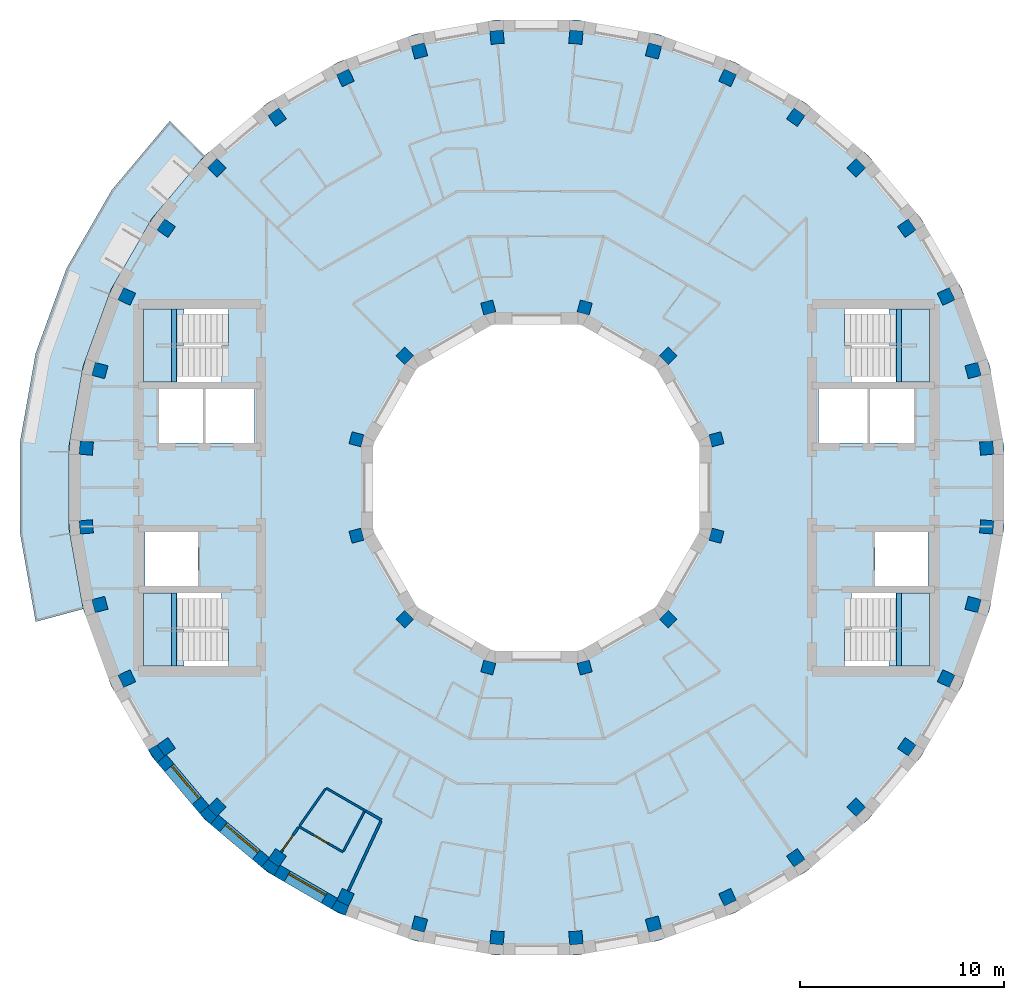
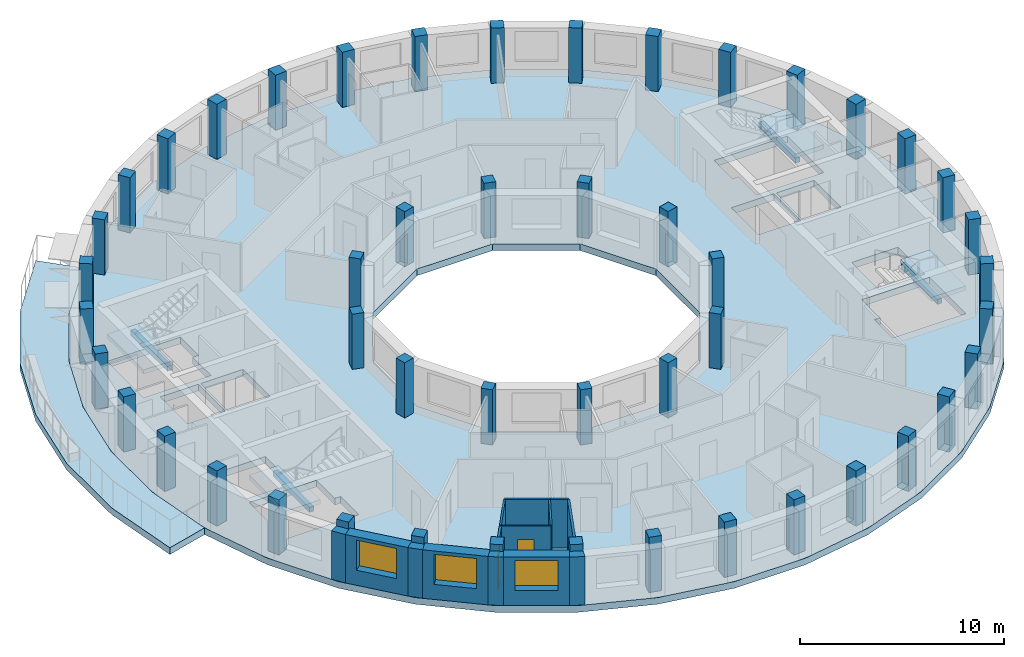
# One storey, part 1 of 10: 48 columns, 14 walls, 6 slabs, 4 beams, 3 windows, 2 doors, 5 openings, 4 elements without a shape of their own.
"""IFC4 building model written with IfcOpenShell, lengths in metres."""

import ifcopenshell
import ifcopenshell.guid

model = None  # the IFC model being written
_history = None  # IfcOwnerHistory: only IFC2X3 demands one
_inside = {}  # id of a spatial element -> (the spatial element, [elements in it])
_under = {}  # id of a project, library or spatial element -> (it, [spatial elements below it])
_declared = {}  # id of a project -> (the project, [libraries it declares])
_typed = {}  # id of a type object -> (the type object, [elements of that type])
_made_of = {}  # id of a material, layer set ... -> (it, [elements and type objects made of it])


def new_model(schema):
    """Start an empty IFC model of exactly this schema.

    Asked for "IFC4X3", IfcOpenShell would pick the latest addendum, in which some entities
    have other attributes; the version numbers below select the first issue.
    IFC2X3 requires an IfcOwnerHistory on every rooted entity: one is made here for all.
    """
    global model, _history
    if schema == "IFC4X3":
        model = ifcopenshell.file(schema_version=(4, 3, 0, 0))
    else:
        model = ifcopenshell.file(schema=schema)
    _inside.clear()
    _under.clear()
    _declared.clear()
    _typed.clear()
    _made_of.clear()
    _history = None
    if model.schema == "IFC2X3":
        org = make("IfcOrganization", Name="unknown")
        user = make(
            "IfcPersonAndOrganization",
            ThePerson=make("IfcPerson", FamilyName="unknown"),
            TheOrganization=org,
        )
        app = make(
            "IfcApplication",
            ApplicationDeveloper=org,
            Version="unknown",
            ApplicationFullName="unknown",
            ApplicationIdentifier="unknown",
        )
        _history = make(
            "IfcOwnerHistory",
            OwningUser=user,
            OwningApplication=app,
            ChangeAction="ADDED",
            CreationDate=0,
        )
    return model


def make(cls, **values):
    """One entity of the class cls with the attributes given. An attribute that is None is left unset."""
    return model.create_entity(
        cls, **{name: value for name, value in values.items() if value is not None}
    )


def rooted(cls, **values):
    """An entity with a GlobalId (a new one), such as an element, a storey or a relation."""
    return make(cls, GlobalId=ifcopenshell.guid.new(), OwnerHistory=_history, **values)


def si_unit(unit_type, name, prefix=None):
    """IfcSIUnit, for example si_unit("LENGTHUNIT", "METRE", prefix="MILLI")."""
    return make("IfcSIUnit", UnitType=unit_type, Prefix=prefix, Name=name)


def assignment(units):
    """IfcUnitAssignment: the units of a project."""
    return None if units is None else make("IfcUnitAssignment", Units=units)


def point(xyz):
    """IfcCartesianPoint."""
    return None if xyz is None else make("IfcCartesianPoint", Coordinates=xyz)


def direction(xyz):
    """IfcDirection."""
    return None if xyz is None else make("IfcDirection", DirectionRatios=xyz)


def frame(location, z_axis=None, x_axis=None):
    """IfcAxis2Placement3D, a coordinate frame: its origin and axes. An axis left out is left unset."""
    return make(
        "IfcAxis2Placement3D",
        Location=point(location),
        Axis=direction(z_axis),
        RefDirection=direction(x_axis),
    )


def frame_2d(location, x_axis=None):
    """IfcAxis2Placement2D, a coordinate frame in the plane: its origin and x axis."""
    return make(
        "IfcAxis2Placement2D", Location=point(location), RefDirection=direction(x_axis)
    )


def origin():
    """The frame at (0, 0, 0) with its axes left unset."""
    return frame((0.0, 0.0, 0.0))


def origin_2d():
    """The frame at (0, 0) in the plane with its x axis left unset."""
    return frame_2d((0.0, 0.0))


def place(relative_to, where):
    """IfcLocalPlacement: puts the frame where relative to a parent placement (None: the world)."""
    return make(
        "IfcLocalPlacement", PlacementRelTo=relative_to, RelativePlacement=where
    )


def context(
    kind, dimensions, precision=None, world=None, true_north=None, identifier=None
):
    """IfcGeometricRepresentationContext, for example the 3D "Model" context."""
    return make(
        "IfcGeometricRepresentationContext",
        ContextIdentifier=identifier,
        ContextType=kind,
        CoordinateSpaceDimension=dimensions,
        Precision=precision,
        WorldCoordinateSystem=world,
        TrueNorth=true_north,
    )


def subcontext(parent, identifier, kind, view, scale=None):
    """IfcGeometricRepresentationSubContext, for example "Body" below "Model"."""
    return make(
        "IfcGeometricRepresentationSubContext",
        ContextIdentifier=identifier,
        ContextType=kind,
        ParentContext=parent,
        TargetScale=scale,
        TargetView=view,
    )


def project(units=None, contexts=None):
    """IfcProject with its units and contexts."""
    return rooted(
        "IfcProject",
        Name="project",
        RepresentationContexts=contexts,
        UnitsInContext=assignment(units),
    )


def spatial(cls, under=None, at=None, **own):
    """A site, building, storey or space (cls), placed at a placement, below another one or the project."""
    s = rooted(cls, ObjectPlacement=at, **own)
    if under is not None:
        _under.setdefault(under.id(), (under, []))[1].append(s)
    return s


def polyline(points):
    """IfcPolyline through the points."""
    return make("IfcPolyline", Points=[point(p) for p in points])


def profile(cls, at=None, kind="AREA", **sizes):
    """A parametric profile (cls). Its sizes go by their IFC names, for example OverallWidth=200.0."""
    return make(cls, ProfileType=kind, Position=at, **sizes)


def rectangle(**sizes):
    """IfcRectangleProfileDef."""
    return profile("IfcRectangleProfileDef", **sizes)


def outline(outer, holes=None, kind="AREA"):
    """IfcArbitraryClosedProfileDef: a profile drawn as a closed curve; with holes, ...WithVoids."""
    if holes is None:
        return make("IfcArbitraryClosedProfileDef", ProfileType=kind, OuterCurve=outer)
    return make(
        "IfcArbitraryProfileDefWithVoids",
        ProfileType=kind,
        OuterCurve=outer,
        InnerCurves=holes,
    )


def extrude(swept, where, along, depth):
    """IfcExtrudedAreaSolid: the profile swept, set in the frame where, extruded along a direction by depth."""
    return make(
        "IfcExtrudedAreaSolid",
        SweptArea=swept,
        Position=where,
        ExtrudedDirection=direction(along),
        Depth=depth,
    )


def shape(context_of_items, identifier, shape_type, items):
    """IfcShapeRepresentation: the items that make up one representation, for example the "Body"."""
    return make(
        "IfcShapeRepresentation",
        ContextOfItems=context_of_items,
        RepresentationIdentifier=identifier,
        RepresentationType=shape_type,
        Items=items,
    )


def material(Name=None, Category=None):
    """IfcMaterial."""
    return make("IfcMaterial", Name=Name, Category=Category)


def layer(
    of_material, thickness, ventilated=None, Name=None, Category=None, Priority=None
):
    """IfcMaterialLayer: one layer of a wall or slab, of a material (None: an air gap)."""
    return make(
        "IfcMaterialLayer",
        Material=of_material,
        LayerThickness=thickness,
        IsVentilated=ventilated,
        Name=Name,
        Category=Category,
        Priority=Priority,
    )


def layer_set(layers, Name=None):
    """IfcMaterialLayerSet."""
    return make("IfcMaterialLayerSet", MaterialLayers=layers, LayerSetName=Name)


def material_profile(
    of_material, cross_section, Name=None, Category=None, Priority=None
):
    """IfcMaterialProfile: a cross section and its material."""
    return make(
        "IfcMaterialProfile",
        Name=Name,
        Material=of_material,
        Profile=cross_section,
        Priority=Priority,
        Category=Category,
    )


def profile_set(profiles, Name=None, composite=None):
    """IfcMaterialProfileSet."""
    return make(
        "IfcMaterialProfileSet",
        Name=Name,
        MaterialProfiles=profiles,
        CompositeProfile=composite,
    )


def made_of(thing, what):
    """Note that an element or type object is made of a material, layer set ...; save() writes the relation."""
    if what is not None:
        _made_of.setdefault(what.id(), (what, []))[1].append(thing)
    return thing


def type_object(cls, material=None, **own):
    """A type object (cls), such as IfcWallType, which elements share."""
    return made_of(rooted(cls, **own), material)


def element(
    cls,
    number,
    at=None,
    inside=None,
    cuts=None,
    type_object=None,
    material=None,
    context=None,
    identifier="Body",
    shape_type=None,
    held_by="IfcProductDefinitionShape",
    body=None,
    shapes=None,
    **own,
):
    """One element of the class cls, such as IfcWall. Its Tag is "e" and its number.

    at: its placement. inside: the storey or other place that contains it. cuts: it is an
    opening in that element (IfcRelVoidsElement). A single representation is given by context,
    identifier, shape_type and body (its items); several are given by shapes. held_by: the class
    of the entity that holds the representations. save() writes the other relations.
    """
    e = rooted(cls, Tag="e%d" % number, ObjectPlacement=at, **own)
    if body is not None:
        shapes = [shape(context, identifier, shape_type, body)]
    if shapes is not None:
        e.Representation = make(held_by, Representations=shapes)
    if inside is not None:
        _inside.setdefault(inside.id(), (inside, []))[1].append(e)
    if cuts is not None:
        rooted(
            "IfcRelVoidsElement", RelatingBuildingElement=cuts, RelatedOpeningElement=e
        )
    if type_object is not None:
        _typed.setdefault(type_object.id(), (type_object, []))[1].append(e)
    return made_of(e, material)


def fill(opening, filler):
    """IfcRelFillsElement: the door or window that sits in an opening."""
    return rooted(
        "IfcRelFillsElement",
        RelatingOpeningElement=opening,
        RelatedBuildingElement=filler,
    )


def aggregate(whole, parts):
    """IfcRelAggregates: a whole, such as a stair, and the parts it consists of."""
    return rooted("IfcRelAggregates", RelatingObject=whole, RelatedObjects=parts)


def save(model, path):
    """Write the relations noted so far, then the file.

    IfcRelAggregates (storeys below a building ...), IfcRelContainedInSpatialStructure (elements
    in a storey), IfcRelDefinesByType, IfcRelAssociatesMaterial and IfcRelDeclares: one each for
    every whole, place, type object, material and project.
    """
    for whole, parts in _under.values():
        aggregate(whole, parts)
    for where, things in _inside.values():
        rooted(
            "IfcRelContainedInSpatialStructure",
            RelatedElements=things,
            RelatingStructure=where,
        )
    for kind, things in _typed.values():
        rooted("IfcRelDefinesByType", RelatedObjects=things, RelatingType=kind)
    for what, things in _made_of.values():
        rooted("IfcRelAssociatesMaterial", RelatedObjects=things, RelatingMaterial=what)
    for by, libraries in _declared.values():
        rooted("IfcRelDeclares", RelatingContext=by, RelatedDefinitions=libraries)
    model.write(path)


model = new_model("IFC4")

# Units and contexts
model_context = context("Model", 3, precision=1e-05, world=origin(), true_north=direction((0.0, 1.0)))
body_context = subcontext(model_context, "Body", "Model", "MODEL_VIEW")
ifc_project = project(units=[si_unit("LENGTHUNIT", "METRE"), si_unit("AREAUNIT", "SQUARE_METRE"), si_unit("VOLUMEUNIT", "CUBIC_METRE"), si_unit("PLANEANGLEUNIT", "RADIAN"), si_unit("MASSUNIT", "GRAM", prefix="KILO")], contexts=[model_context])

# Site, building, storey
site_placement = place(None, origin())
site = spatial("IfcSite", under=ifc_project, at=site_placement, CompositionType="ELEMENT")
building_placement = place(site_placement, origin())
building = spatial("IfcBuilding", under=site, at=building_placement, Name="Saqina Gate Tower", CompositionType="ELEMENT")
storey_placement = place(building_placement, frame((0.0, 0.0, 239.60009765625)))
storey = spatial("IfcBuildingStorey", under=building, at=storey_placement, Name="L68", CompositionType="ELEMENT", Elevation=239.60009765625)

# Columns
ifc_material_1 = material(Name="Concrete C60/75", Category="concrete")
ifc_material_profile_1 = material_profile(ifc_material_1, rectangle(XDim=0.60009765625, YDim=0.60009765625, at=origin_2d()), Name="RC 600x600")
ifc_profile_set_1 = profile_set([ifc_material_profile_1], Name="Concrete C60/75")
column_type_1 = type_object("IfcColumnType", Name="STR-COL-IN-D", PredefinedType="COLUMN", material=ifc_profile_set_1)
for number, where, z_axis, x_axis, name in (
    (1, (8.821044921875, 2.363525390625, 0.0), (0.0, 0.0, 1.0), (0.965925826289, 0.258819045103, 0.0), "L68-ICL01"),
    (2, (6.45751953125, 6.45751953125, 0.0), (0.0, 0.0, 1.0), (0.707106781187, 0.707106781187, 0.0), "L68-ICL02"),
    (3, (2.363525390625, 8.821044921875, 0.0), (0.0, 0.0, 1.0), (0.258819045103, 0.965925826289, 0.0), "L68-ICL03"),
    (4, (-2.363525390625, 8.821044921875, 0.0), (0.0, 0.0, 1.0), (-0.258819045103, 0.965925826289, 0.0), "L68-ICL04"),
    (5, (-6.45751953125, 6.45751953125, 0.0), (0.0, 0.0, 1.0), (-0.707106781187, 0.707106781187, 0.0), "L68-ICL05"),
    (6, (-8.821044921875, 2.363525390625, 0.0), (0.0, 0.0, 1.0), (-0.965925826289, 0.258819045103, 0.0), "L68-ICL06"),
    (7, (-8.821044921875, -2.363525390625, 0.0), (0.0, 0.0, 1.0), (-0.965925826289, -0.258819045103, 0.0), "L68-ICL07"),
    (8, (-6.45751953125, -6.45751953125, 0.0), (0.0, 0.0, 1.0), (-0.707106781187, -0.707106781187, 0.0), "L68-ICL08"),
    (9, (-2.363525390625, -8.821044921875, 0.0), (0.0, 0.0, 1.0), (-0.258819045103, -0.965925826289, 0.0), "L68-ICL09"),
    (10, (2.363525390625, -8.821044921875, 0.0), (0.0, 0.0, 1.0), (0.258819045103, -0.965925826289, 0.0), "L68-ICL10"),
    (11, (6.45751953125, -6.45751953125, 0.0), (0.0, 0.0, 1.0), (0.707106781187, -0.707106781187, 0.0), "L68-ICL11"),
    (12, (8.821044921875, -2.363525390625, 0.0), (0.0, 0.0, 1.0), (0.965925826289, -0.258819045103, 0.0), "L68-ICL12"),
):
    element("IfcColumn", number, at=place(storey_placement, frame(where, z_axis=z_axis, x_axis=x_axis)), inside=storey, type_object=column_type_1, Name=name, PredefinedType="COLUMN", context=body_context, shape_type="SweptSolid", body=[
        extrude(rectangle(XDim=0.60009765625, YDim=0.60009765625, at=origin_2d()), origin(), (0.0, 0.0, 1.0), 3.2998046875),
    ])
ifc_material_2 = material(Name="Concrete C60/75", Category="concrete")
ifc_material_profile_2 = material_profile(ifc_material_2, rectangle(XDim=0.64990234375, YDim=0.64990234375, at=origin_2d()), Name="RC 650x650")
ifc_profile_set_2 = profile_set([ifc_material_profile_2], Name="Concrete C60/75")
column_type_2 = type_object("IfcColumnType", Name="STR-COL-OUT-D", PredefinedType="COLUMN", material=ifc_profile_set_2)
for number, where, z_axis, x_axis, name in (
    (13, (22.065673828125, 1.930419921875, 0.0), (0.0, 0.0, 1.0), (0.996194698092, 0.087155742748, 0.0), "L68-COL01"),
    (14, (21.395263671875, 5.73291015625, 0.0), (0.0, 0.0, 1.0), (0.965925826289, 0.258819045103, 0.0), "L68-COL02"),
    (15, (20.07470703125, 9.361083984375, 0.0), (0.0, 0.0, 1.0), (0.906307787037, 0.422618261741, 0.0), "L68-COL03"),
    (16, (18.144287109375, 12.704833984375, 0.0), (0.0, 0.0, 1.0), (0.819152044289, 0.573576436351, 0.0), "L68-COL04"),
    (17, (15.662353515625, 15.662353515625, 0.0), (0.0, 0.0, 1.0), (0.707106781187, 0.707106781187, 0.0), "L68-COL05"),
    (18, (12.704833984375, 18.144287109375, 0.0), (0.0, 0.0, 1.0), (0.573576436351, 0.819152044289, 0.0), "L68-COL06"),
    (19, (9.361083984375, 20.07470703125, 0.0), (0.0, 0.0, 1.0), (0.422618261741, 0.906307787037, 0.0), "L68-COL07"),
    (20, (5.73291015625, 21.395263671875, 0.0), (0.0, 0.0, 1.0), (0.258819045103, 0.965925826289, 0.0), "L68-COL08"),
    (21, (1.930419921875, 22.065673828125, 0.0), (0.0, 0.0, 1.0), (0.087155742748, 0.996194698092, 0.0), "L68-COL09"),
    (22, (-1.930419921875, 22.065673828125, 0.0), (0.0, 0.0, 1.0), (-0.087155742748, 0.996194698092, 0.0), "L68-COL10"),
    (23, (-5.73291015625, 21.395263671875, 0.0), (0.0, 0.0, 1.0), (-0.258819045103, 0.965925826289, 0.0), "L68-COL11"),
    (24, (-9.361083984375, 20.07470703125, 0.0), (0.0, 0.0, 1.0), (-0.422618261741, 0.906307787037, 0.0), "L68-COL12"),
    (25, (-12.704833984375, 18.144287109375, 0.0), (0.0, 0.0, 1.0), (-0.573576436351, 0.819152044289, 0.0), "L68-COL13"),
    (26, (-15.662353515625, 15.662353515625, 0.0), (0.0, 0.0, 1.0), (-0.707106781187, 0.707106781187, 0.0), "L68-COL14"),
    (27, (-18.144287109375, 12.704833984375, 0.0), (0.0, 0.0, 1.0), (-0.819152044289, 0.573576436351, 0.0), "L68-COL15"),
    (28, (-20.07470703125, 9.361083984375, 0.0), (0.0, 0.0, 1.0), (-0.906307787037, 0.422618261741, 0.0), "L68-COL16"),
    (29, (-21.395263671875, 5.73291015625, 0.0), (0.0, 0.0, 1.0), (-0.965925826289, 0.258819045103, 0.0), "L68-COL17"),
    (30, (-22.065673828125, 1.930419921875, 0.0), (0.0, 0.0, 1.0), (-0.996194698092, 0.087155742748, 0.0), "L68-COL18"),
    (31, (-22.065673828125, -1.930419921875, 0.0), (0.0, 0.0, 1.0), (-0.996194698092, -0.087155742748, 0.0), "L68-COL19"),
    (32, (-21.395263671875, -5.73291015625, 0.0), (0.0, 0.0, 1.0), (-0.965925826289, -0.258819045103, 0.0), "L68-COL20"),
    (33, (-20.07470703125, -9.361083984375, 0.0), (0.0, 0.0, 1.0), (-0.906307787037, -0.422618261741, 0.0), "L68-COL21"),
    (34, (-18.144287109375, -12.704833984375, 0.0), (0.0, 0.0, 1.0), (-0.819152044289, -0.573576436351, 0.0), "L68-COL22"),
    (35, (-15.662353515625, -15.662353515625, 0.0), (0.0, 0.0, 1.0), (-0.707106781187, -0.707106781187, 0.0), "L68-COL23"),
    (36, (-12.704833984375, -18.144287109375, 0.0), (0.0, 0.0, 1.0), (-0.573576436351, -0.819152044289, 0.0), "L68-COL24"),
    (37, (-9.361083984375, -20.07470703125, 0.0), (0.0, 0.0, 1.0), (-0.422618261741, -0.906307787037, 0.0), "L68-COL25"),
    (38, (-5.73291015625, -21.395263671875, 0.0), (0.0, 0.0, 1.0), (-0.258819045103, -0.965925826289, 0.0), "L68-COL26"),
    (39, (-1.930419921875, -22.065673828125, 0.0), (0.0, 0.0, 1.0), (-0.087155742748, -0.996194698092, 0.0), "L68-COL27"),
    (40, (1.930419921875, -22.065673828125, 0.0), (0.0, 0.0, 1.0), (0.087155742748, -0.996194698092, 0.0), "L68-COL28"),
    (41, (5.73291015625, -21.395263671875, 0.0), (0.0, 0.0, 1.0), (0.258819045103, -0.965925826289, 0.0), "L68-COL29"),
    (42, (9.361083984375, -20.07470703125, 0.0), (0.0, 0.0, 1.0), (0.422618261741, -0.906307787037, 0.0), "L68-COL30"),
    (43, (12.704833984375, -18.144287109375, 0.0), (0.0, 0.0, 1.0), (0.573576436351, -0.819152044289, 0.0), "L68-COL31"),
    (44, (15.662353515625, -15.662353515625, 0.0), (0.0, 0.0, 1.0), (0.707106781187, -0.707106781187, 0.0), "L68-COL32"),
    (45, (18.144287109375, -12.704833984375, 0.0), (0.0, 0.0, 1.0), (0.819152044289, -0.573576436351, 0.0), "L68-COL33"),
    (46, (20.07470703125, -9.361083984375, 0.0), (0.0, 0.0, 1.0), (0.906307787037, -0.422618261741, 0.0), "L68-COL34"),
    (47, (21.395263671875, -5.73291015625, 0.0), (0.0, 0.0, 1.0), (0.965925826289, -0.258819045103, 0.0), "L68-COL35"),
    (48, (22.065673828125, -1.930419921875, 0.0), (0.0, 0.0, 1.0), (0.996194698092, -0.087155742748, 0.0), "L68-COL36"),
):
    element("IfcColumn", number, at=place(storey_placement, frame(where, z_axis=z_axis, x_axis=x_axis)), inside=storey, type_object=column_type_2, Name=name, PredefinedType="COLUMN", context=body_context, shape_type="SweptSolid", body=[
        extrude(rectangle(XDim=0.64990234375, YDim=0.64990234375, at=origin_2d()), origin(), (0.0, 0.0, 1.0), 3.2998046875),
    ])

# Beams
ifc_material_3 = material(Name="Concrete C40/50", Category="concrete")
ifc_material_profile_3 = material_profile(ifc_material_3, rectangle(XDim=0.25, YDim=0.300048828125, at=origin_2d()), Name="STAIR LANDING BEAM")
ifc_profile_set_3 = profile_set([ifc_material_profile_3], Name="Concrete C40/50")
beam_type = type_object("IfcBeamType", Name="STAIR LANDING BEAM", PredefinedType="BEAM", material=ifc_profile_set_3)
for number, where, z_axis, x_axis, name in (
    (49, (17.77001953125, 5.175048828125, 1.25), (0.0, 1.0, 0.0), (-1.0, 0.0, 0.0), "EXIT STAIR 1 LANDING BEAM"),
    (50, (17.77001953125, -8.75, 1.25), (0.0, 1.0, 0.0), (-1.0, 0.0, 0.0), "EXIT STAIR 2 LANDING BEAM"),
    (51, (-17.77001953125, 5.175048828125, 1.25), (0.0, 1.0, 0.0), (-1.0, 0.0, 0.0), "EXIT STAIR 3 LANDING BEAM"),
    (52, (-17.77001953125, -8.75, 1.25), (0.0, 1.0, 0.0), (-1.0, 0.0, 0.0), "EXIT STAIR 4 LANDING BEAM"),
):
    element("IfcBeam", number, at=place(storey_placement, frame(where, z_axis=z_axis, x_axis=x_axis)), inside=storey, type_object=beam_type, Name=name, PredefinedType="BEAM", context=body_context, shape_type="SweptSolid", body=[
        extrude(rectangle(XDim=0.25, YDim=0.300048828125, at=origin_2d()), origin(), (0.0, 0.0, 1.0), 3.574951171875),
    ])

# Stair, slab
ifc_material_4 = material(Name="Concrete C40/50", Category="concrete")
stair_type = type_object("IfcStairType", Name="EXIT STAIR", PredefinedType="HALF_TURN_STAIR", material=ifc_material_4)
stair_1_placement = place(storey_placement, origin())
stair_1 = element("IfcStair", 53, at=stair_1_placement, inside=storey, type_object=stair_type, Name="EXIT STAIR 1", PredefinedType="HALF_TURN_STAIR")
ifc_material_5 = material(Name="Concrete C40/50", Category="concrete")
ifc_layer_1 = layer(ifc_material_5, 0.25)
ifc_layer_set_1 = layer_set([ifc_layer_1], Name="Concrete C40/50")
slab_type_1 = type_object("IfcSlabType", Name="EXIT STAIR LANDING", PredefinedType="LANDING", material=ifc_layer_set_1)
slab_1_placement = place(storey_placement, frame((0.0, 0.0, 1.39990234375)))
slab_1 = element("IfcSlab", 54, at=slab_1_placement, type_object=slab_type_1, Name="EXIT STAIR 1 LANDING 1", PredefinedType="LANDING", context=body_context, shape_type="SweptSolid", body=[
    extrude(outline(polyline([(19.25, 8.75), (19.25, 5.175048828125), (17.614990234375, 5.175048828125), (17.614990234375, 6.96240234375), (17.284423828125, 6.96240234375), (17.284423828125, 8.75), (17.614990234375, 8.75), (17.6201171875, 8.75), (19.25, 8.75)])), origin(), (0.0, 0.0, 1.0), 0.25),
])
aggregate(stair_1, [slab_1])

stair_2_placement = place(storey_placement, origin())
stair_2 = element("IfcStair", 55, at=stair_2_placement, inside=storey, type_object=stair_type, Name="EXIT STAIR 2", PredefinedType="HALF_TURN_STAIR")
slab_2_placement = place(storey_placement, frame((0.0, 0.0, 1.39990234375)))
slab_2 = element("IfcSlab", 56, at=slab_2_placement, type_object=slab_type_1, Name="EXIT STAIR 2 LANDING 1", PredefinedType="LANDING", context=body_context, shape_type="SweptSolid", body=[
    extrude(outline(polyline([(17.284423828125, -8.75), (17.284423828125, -6.96240234375), (17.614990234375, -6.96240234375), (17.614990234375, -5.175048828125), (19.25, -5.175048828125), (19.25, -8.75), (17.6201171875, -8.75), (17.614990234375, -8.75), (17.284423828125, -8.75)])), origin(), (0.0, 0.0, 1.0), 0.25),
])
aggregate(stair_2, [slab_2])

stair_3_placement = place(storey_placement, origin())
stair_3 = element("IfcStair", 57, at=stair_3_placement, inside=storey, type_object=stair_type, Name="EXIT STAIR 3", PredefinedType="HALF_TURN_STAIR")
slab_3_placement = place(storey_placement, frame((0.0, 0.0, 1.39990234375)))
slab_3 = element("IfcSlab", 58, at=slab_3_placement, type_object=slab_type_1, Name="EXIT STAIR 3 LANDING 1", PredefinedType="LANDING", context=body_context, shape_type="SweptSolid", body=[
    extrude(outline(polyline([(-17.614990234375, 5.175048828125), (-19.25, 5.175048828125), (-19.25, 8.75), (-17.6201171875, 8.75), (-17.614990234375, 8.75), (-17.284423828125, 8.75), (-17.284423828125, 6.96240234375), (-17.614990234375, 6.96240234375), (-17.614990234375, 5.175048828125)])), origin(), (0.0, 0.0, 1.0), 0.25),
])
aggregate(stair_3, [slab_3])

stair_4_placement = place(storey_placement, origin())
stair_4 = element("IfcStair", 59, at=stair_4_placement, inside=storey, type_object=stair_type, Name="EXIT STAIR 4", PredefinedType="HALF_TURN_STAIR")
slab_4_placement = place(storey_placement, frame((0.0, 0.0, 1.39990234375)))
slab_4 = element("IfcSlab", 60, at=slab_4_placement, type_object=slab_type_1, Name="EXIT STAIR 4 LANDING 1", PredefinedType="LANDING", context=body_context, shape_type="SweptSolid", body=[
    extrude(outline(polyline([(-17.284423828125, -6.96240234375), (-17.284423828125, -8.75), (-17.614990234375, -8.75), (-17.6201171875, -8.75), (-19.25, -8.75), (-19.25, -5.175048828125), (-17.614990234375, -5.175048828125), (-17.614990234375, -6.96240234375), (-17.284423828125, -6.96240234375)])), origin(), (0.0, 0.0, 1.0), 0.25),
])
aggregate(stair_4, [slab_4])

# Slabs
ifc_material_6 = material(Name="Concrete C40/50", Category="concrete")
ifc_layer_2 = layer(ifc_material_6, 0.39990234375)
ifc_layer_set_2 = layer_set([ifc_layer_2], Name="Concrete C40/50")
slab_type_2 = type_object("IfcSlabType", Name="STR-POST-TENSIONED FLAT PLATE FLOOR-400", PredefinedType="FLOOR", material=ifc_layer_set_2)
slab_5_placement = place(storey_placement, frame((0.0, 0.0, -0.400146484375)))
element("IfcSlab", 61, at=slab_5_placement, inside=storey, type_object=slab_type_2, Name="L68-SLB01", PredefinedType="FLOOR", context=body_context, shape_type="SweptSolid", body=[
    extrude(outline(polyline([(22.21630859375, -5.952880859375), (22.91259765625, -2.004638671875), (22.91259765625, 2.004638671875), (22.21630859375, 5.952880859375), (20.844970703125, 9.72021484375), (18.840576171875, 13.192138671875), (16.263427734375, 16.263427734375), (13.192138671875, 18.840576171875), (9.72021484375, 20.844970703125), (5.952880859375, 22.21630859375), (2.004638671875, 22.91259765625), (-2.004638671875, 22.91259765625), (-5.952880859375, 22.21630859375), (-9.72021484375, 20.844970703125), (-13.192138671875, 18.840576171875), (-16.263427734375, 16.263427734375), (-18.840576171875, 13.192138671875), (-20.844970703125, 9.72021484375), (-22.21630859375, 5.952880859375), (-22.91259765625, 2.004638671875), (-22.91259765625, -2.004638671875), (-22.21630859375, -5.952880859375), (-20.844970703125, -9.72021484375), (-18.840576171875, -13.192138671875), (-16.263427734375, -16.263427734375), (-13.192138671875, -18.840576171875), (-9.72021484375, -20.844970703125), (-5.952880859375, -22.21630859375), (-2.004638671875, -22.91259765625), (2.004638671875, -22.91259765625), (5.952880859375, -22.21630859375), (9.72021484375, -20.844970703125), (13.192138671875, -18.840576171875), (16.263427734375, -16.263427734375), (18.840576171875, -13.192138671875), (20.844970703125, -9.72021484375), (22.21630859375, -5.952880859375)]), holes=[polyline([(2.1435546875, 8.0), (5.8564453125, 5.8564453125), (8.0, 2.1435546875), (8.0, -2.1435546875), (5.8564453125, -5.8564453125), (2.1435546875, -8.0), (-2.1435546875, -8.0), (-5.8564453125, -5.8564453125), (-8.0, -2.1435546875), (-8.0, 2.1435546875), (-5.8564453125, 5.8564453125), (-2.1435546875, 8.0), (2.1435546875, 8.0)]), polyline([(-15.10498046875, -8.75), (-19.25, -8.75), (-19.25, -6.96240234375), (-19.25, -5.175048828125), (-15.435546875, -5.175048828125), (-15.435546875, -6.96240234375), (-15.10498046875, -6.96240234375), (-15.10498046875, -8.75)]), polyline([(-16.590087890625, -2.175048828125), (-16.590087890625, -4.824951171875), (-19.18994140625, -4.824951171875), (-19.18994140625, -2.175048828125), (-16.590087890625, -2.175048828125)]), polyline([(-16.340087890625, 4.824951171875), (-16.340087890625, 2.175048828125), (-18.5, 2.175048828125), (-18.5, 4.824951171875), (-16.340087890625, 4.824951171875)]), polyline([(-13.81005859375, 4.824951171875), (-13.81005859375, 2.175048828125), (-16.219970703125, 2.175048828125), (-16.219970703125, 4.824951171875), (-13.81005859375, 4.824951171875)]), polyline([(-19.25, 6.96240234375), (-19.25, 8.75), (-15.10498046875, 8.75), (-15.10498046875, 6.96240234375), (-15.435546875, 6.96240234375), (-15.435546875, 5.175048828125), (-19.25, 5.175048828125), (-19.25, 6.96240234375)]), polyline([(15.10498046875, -8.75), (15.10498046875, -6.96240234375), (15.435546875, -6.96240234375), (15.435546875, -5.175048828125), (19.25, -5.175048828125), (19.25, -6.96240234375), (19.25, -8.75), (15.10498046875, -8.75)]), polyline([(19.18994140625, -2.175048828125), (19.18994140625, -4.824951171875), (16.590087890625, -4.824951171875), (16.590087890625, -2.175048828125), (19.18994140625, -2.175048828125)]), polyline([(16.219970703125, 4.824951171875), (16.219970703125, 2.175048828125), (13.81005859375, 2.175048828125), (13.81005859375, 4.824951171875), (16.219970703125, 4.824951171875)]), polyline([(18.5, 4.824951171875), (18.5, 2.175048828125), (16.340087890625, 2.175048828125), (16.340087890625, 4.824951171875), (18.5, 4.824951171875)]), polyline([(15.435546875, 6.96240234375), (15.10498046875, 6.96240234375), (15.10498046875, 8.75), (19.25, 8.75), (19.25, 6.96240234375), (19.25, 5.175048828125), (15.435546875, 5.175048828125), (15.435546875, 6.96240234375)])]), origin(), (0.0, 0.0, 1.0), 0.400146484375),
])
ifc_material_7 = material(Name="Concrete C40/50", Category="concrete")
ifc_layer_3 = layer(ifc_material_7, 0.39990234375)
ifc_layer_set_3 = layer_set([ifc_layer_3], Name="Concrete C40/50")
slab_type_3 = type_object("IfcSlabType", Name="STR-POST-TENSIONED FLAT PLATE TERRACE-400", PredefinedType="FLOOR", material=ifc_layer_set_3)
slab_6_placement = place(storey_placement, frame((0.0, 0.0, -0.400146484375)))
element("IfcSlab", 62, at=slab_6_placement, inside=storey, type_object=slab_type_3, Name="L68-TRS01", PredefinedType="FLOOR", context=body_context, shape_type="SweptSolid", body=[
    extrude(outline(polyline([(-16.263427734375, 16.263427734375), (-18.840576171875, 13.192138671875), (-20.844970703125, 9.72021484375), (-22.21630859375, 5.952880859375), (-22.91259765625, 2.004638671875), (-22.91259765625, -2.004638671875), (-22.21630859375, -5.952880859375), (-24.54345703125, -6.576416015625), (-25.3125, -2.214599609375), (-25.3125, 2.214599609375), (-24.54345703125, 6.576416015625), (-23.028564453125, 10.73828125), (-20.81396484375, 14.57421875), (-17.967041015625, 17.967041015625), (-16.263427734375, 16.263427734375)])), origin(), (0.0, 0.0, 1.0), 0.400146484375),
])

# Walls
ifc_material_8 = material(Name="Brick masonry (buff)", Category="masonry")
wall_type_1 = type_object("IfcWallType", Name="BRICK PIER COPING BUFF", PredefinedType="SOLIDWALL", material=ifc_material_8)
wall_1_placement = place(storey_placement, origin())
element("IfcWall", 63, at=wall_1_placement, inside=storey, type_object=wall_type_1, Name="Pier cap L68 column 22", PredefinedType="SOLIDWALL", context=body_context, shape_type="SweptSolid", body=[
    extrude(outline(polyline([(-19.02978515625, -12.8642578125), (-18.59716796875, -13.482421875), (-18.137451171875, -13.0966796875), (-18.22412109375, -13.157470703125), (-18.596923828125, -12.625), (-18.51025390625, -12.564208984375), (-19.02978515625, -12.8642578125)])), origin(), (0.0, 0.0, 1.0), 2.89990234375),
])
wall_2_placement = place(storey_placement, origin())
element("IfcWall", 64, at=wall_2_placement, inside=storey, type_object=wall_type_1, Name="Pier cap L68 column 23", PredefinedType="SOLIDWALL", context=body_context, shape_type="SweptSolid", body=[
    extrude(outline(polyline([(-15.973388671875, -16.5068359375), (-15.587646484375, -16.04736328125), (-15.662353515625, -16.1220703125), (-16.1220703125, -15.662353515625), (-16.04736328125, -15.587646484375), (-16.5068359375, -15.973388671875), (-15.973388671875, -16.5068359375)])), origin(), (0.0, 0.0, 1.0), 2.89990234375),
])
wall_3_placement = place(storey_placement, origin())
element("IfcWall", 65, at=wall_3_placement, inside=storey, type_object=wall_type_1, Name="Pier cap L68 column 24", PredefinedType="SOLIDWALL", context=body_context, shape_type="SweptSolid", body=[
    extrude(outline(polyline([(-12.8642578125, -19.02978515625), (-12.564208984375, -18.51025390625), (-12.625, -18.596923828125), (-13.157470703125, -18.22412109375), (-13.0966796875, -18.137451171875), (-13.482421875, -18.59716796875), (-12.8642578125, -19.02978515625)])), origin(), (0.0, 0.0, 1.0), 2.89990234375),
])
wall_4_placement = place(storey_placement, origin())
element("IfcWall", 66, at=wall_4_placement, inside=storey, type_object=wall_type_1, Name="Pier cap L68 column 25", PredefinedType="SOLIDWALL", context=body_context, shape_type="SweptSolid", body=[
    extrude(outline(polyline([(-10.048095703125, -20.65576171875), (-9.3642578125, -20.974609375), (-9.1591796875, -20.410888671875), (-9.203857421875, -20.506591796875), (-9.79296875, -20.23193359375), (-9.748291015625, -20.135986328125), (-10.048095703125, -20.65576171875)])), origin(), (0.0, 0.0, 1.0), 2.89990234375),
])

# Wall, opening, window
ifc_material_9 = material(Name="Brick masonry (buff)", Category="masonry")
ifc_layer_4 = layer(ifc_material_9, 0.60009765625)
ifc_layer_set_4 = layer_set([ifc_layer_4], Name="FW-BRICK-BUFF")
wall_type_2 = type_object("IfcWallType", Name="FW-BRICK-BUFF", PredefinedType="SOLIDWALL", material=ifc_layer_set_4)
wall_5_placement = place(storey_placement, frame((-18.3671875, -13.28955078125, 0.0), z_axis=(0.0, 0.0, 1.0), x_axis=(0.64277291405, -0.766056773982, 0.0)))
wall_5 = element("IfcWall", 67, at=wall_5_placement, inside=storey, type_object=wall_type_2, Name="Facade wall L68 facet 22", PredefinedType="SOLIDWALL", context=body_context, shape_type="SweptSolid", body=[
    extrude(rectangle(XDim=3.251708984375, YDim=0.60009765625, at=frame_2d((1.6259765625, 0.0))), origin(), (0.0, 0.0, 1.0), 2.89990234375),
])
opening_1_placement = place(wall_5_placement, frame((0.57568359375, 0.0, 0.89990234375)))
opening_1 = element("IfcOpeningElement", 68, at=opening_1_placement, cuts=wall_5, Name="Opening G20-W13", PredefinedType="OPENING", context=body_context, shape_type="SweptSolid", body=[
    extrude(rectangle(XDim=2.10009765625, YDim=1.800048828125, at=frame_2d((1.050048828125, 0.89990234375))), frame((0.0, 0.31201171875, 0.0), z_axis=(0.0, -1.0, 0.0), x_axis=(1.0, 0.0, 0.0)), (0.0, 0.0, 1.0), 0.6240234375),
])
ifc_material_10 = material(Name="Aluminium glazing", Category="aluminium")
window_type = type_object("IfcWindowType", Name="WN-D", PartitioningType="SINGLE_PANEL", PredefinedType="WINDOW", material=ifc_material_10)
window_1_placement = place(opening_1_placement, origin())
window_1 = element("IfcWindow", 69, at=window_1_placement, inside=storey, type_object=window_type, Name="Window L68 facet 22", OverallHeight=1.800048828125, OverallWidth=2.10009765625, PartitioningType="SINGLE_PANEL", PredefinedType="WINDOW", context=body_context, shape_type="SweptSolid", body=[
    extrude(rectangle(XDim=2.10009765625, YDim=1.800048828125, at=frame_2d((1.050048828125, 0.89990234375))), frame((0.0, 0.179931640625, 0.0), z_axis=(0.0, -1.0, 0.0), x_axis=(1.0, 0.0, 0.0)), (0.0, 0.0, 1.0), 0.06005859375),
])
fill(opening_1, window_1)

wall_6_placement = place(storey_placement, frame((-15.780517578125, -16.277099609375, 0.0), z_axis=(0.0, 0.0, 1.0), x_axis=(0.766056773982, -0.64277291405, 0.0)))
wall_6 = element("IfcWall", 70, at=wall_6_placement, inside=storey, type_object=wall_type_2, Name="Facade wall L68 facet 23", PredefinedType="SOLIDWALL", context=body_context, shape_type="SweptSolid", body=[
    extrude(rectangle(XDim=3.251708984375, YDim=0.60009765625, at=frame_2d((1.6259765625, 0.0))), origin(), (0.0, 0.0, 1.0), 2.89990234375),
])
opening_2_placement = place(wall_6_placement, frame((0.57568359375, 0.0, 0.89990234375)))
opening_2 = element("IfcOpeningElement", 71, at=opening_2_placement, cuts=wall_6, Name="Opening G20-W14", PredefinedType="OPENING", context=body_context, shape_type="SweptSolid", body=[
    extrude(rectangle(XDim=2.10009765625, YDim=1.800048828125, at=frame_2d((1.050048828125, 0.89990234375))), frame((0.0, 0.31201171875, 0.0), z_axis=(0.0, -1.0, 0.0), x_axis=(1.0, 0.0, 0.0)), (0.0, 0.0, 1.0), 0.6240234375),
])
window_2_placement = place(opening_2_placement, origin())
window_2 = element("IfcWindow", 72, at=window_2_placement, inside=storey, type_object=window_type, Name="Window L68 facet 23", OverallHeight=1.800048828125, OverallWidth=2.10009765625, PartitioningType="SINGLE_PANEL", PredefinedType="WINDOW", context=body_context, shape_type="SweptSolid", body=[
    extrude(rectangle(XDim=2.10009765625, YDim=1.800048828125, at=frame_2d((1.050048828125, 0.89990234375))), frame((0.0, 0.179931640625, 0.0), z_axis=(0.0, -1.0, 0.0), x_axis=(1.0, 0.0, 0.0)), (0.0, 0.0, 1.0), 0.06005859375),
])
fill(opening_2, window_2)

wall_7_placement = place(storey_placement, frame((-12.71435546875, -18.77001953125, 0.0), z_axis=(0.0, 0.0, 1.0), x_axis=(0.866016800201, -0.500014901547, 0.0)))
wall_7 = element("IfcWall", 73, at=wall_7_placement, inside=storey, type_object=wall_type_2, Name="Facade wall L68 facet 24", PredefinedType="SOLIDWALL", context=body_context, shape_type="SweptSolid", body=[
    extrude(rectangle(XDim=3.251953125, YDim=0.60009765625, at=frame_2d((1.6259765625, 0.0))), origin(), (0.0, 0.0, 1.0), 2.89990234375),
])
opening_3_placement = place(wall_7_placement, frame((0.57568359375, 0.0, 0.89990234375)))
opening_3 = element("IfcOpeningElement", 74, at=opening_3_placement, cuts=wall_7, Name="Opening G20-W15", PredefinedType="OPENING", context=body_context, shape_type="SweptSolid", body=[
    extrude(rectangle(XDim=2.10009765625, YDim=1.800048828125, at=frame_2d((1.050048828125, 0.89990234375))), frame((0.0, 0.31201171875, 0.0), z_axis=(0.0, -1.0, 0.0), x_axis=(1.0, 0.0, 0.0)), (0.0, 0.0, 1.0), 0.6240234375),
])
window_3_placement = place(opening_3_placement, origin())
window_3 = element("IfcWindow", 75, at=window_3_placement, inside=storey, type_object=window_type, Name="Window L68 facet 24", OverallHeight=1.800048828125, OverallWidth=2.10009765625, PartitioningType="SINGLE_PANEL", PredefinedType="WINDOW", context=body_context, shape_type="SweptSolid", body=[
    extrude(rectangle(XDim=2.10009765625, YDim=1.800048828125, at=frame_2d((1.050048828125, 0.89990234375))), frame((0.0, 0.179931640625, 0.0), z_axis=(0.0, -1.0, 0.0), x_axis=(1.0, 0.0, 0.0)), (0.0, 0.0, 1.0), 0.06005859375),
])
fill(opening_3, window_3)

# Wall, opening, door
ifc_material_11 = material(Name="Gypsum board on steel studs, 100 mm", Category="steel")
ifc_layer_5 = layer(ifc_material_11, 0.10009765625)
ifc_layer_set_5 = layer_set([ifc_layer_5], Name="PARTITION 100")
wall_type_3 = type_object("IfcWallType", Name="PARTITION 100", PredefinedType="PARTITIONING", material=ifc_layer_set_5)
wall_8_placement = place(storey_placement, frame((-11.637939453125, -16.6201171875, 0.0), z_axis=(0.0, 0.0, 1.0), x_axis=(0.865981260576, -0.500076450486, 0.0)))
wall_8 = element("IfcWall", 76, at=wall_8_placement, inside=storey, type_object=wall_type_3, Name="PARTITION PW3-16", PredefinedType="PARTITIONING", context=body_context, shape_type="SweptSolid", body=[
    extrude(rectangle(XDim=2.4873046875, YDim=0.10009765625, at=frame_2d((1.24365234375, 0.0))), origin(), (0.0, 0.0, 1.0), 2.89990234375),
])
opening_4_placement = place(wall_8_placement, frame((0.84375, 0.0, 0.0)))
opening_4 = element("IfcOpeningElement", 77, at=opening_4_placement, cuts=wall_8, Name="Opening G20-D24", PredefinedType="OPENING", context=body_context, shape_type="SweptSolid", body=[
    extrude(rectangle(XDim=0.800048828125, YDim=2.10009765625, at=frame_2d((0.39990234375, 1.050048828125))), frame((0.0, 0.06201171875, 0.0), z_axis=(0.0, -1.0, 0.0), x_axis=(1.0, 0.0, 0.0)), (0.0, 0.0, 1.0), 0.1240234375),
])
ifc_material_12 = material(Name="Timber door leaf, 800 mm", Category="wood")
door_type_1 = type_object("IfcDoorType", Name="DOOR 800 TIMBER", OperationType="SINGLE_SWING_LEFT", PredefinedType="DOOR", material=ifc_material_12)
door_1_placement = place(opening_4_placement, frame((0.800048828125, 0.0, 0.0), z_axis=(0.0, 0.0, 1.0), x_axis=(-1.0, 0.0, 0.0)))
door_1 = element("IfcDoor", 78, at=door_1_placement, inside=storey, type_object=door_type_1, Name="DOOR G20-D24", OperationType="SINGLE_SWING_RIGHT", OverallHeight=2.10009765625, OverallWidth=0.800048828125, PredefinedType="DOOR", context=body_context, shape_type="SweptSolid", body=[
    extrude(rectangle(XDim=0.800048828125, YDim=2.10009765625, at=frame_2d((0.39990234375, 1.050048828125))), frame((0.0, 0.02490234375, 0.0), z_axis=(0.0, -1.0, 0.0), x_axis=(1.0, 0.0, 0.0)), (0.0, 0.0, 1.0), 0.050048828125),
])
fill(opening_4, door_1)

# Walls
wall_9_placement = place(storey_placement, frame((-10.311279296875, -14.72998046875, 0.0), z_axis=(0.0, 0.0, 1.0), x_axis=(0.866073680794, -0.499916372443, 0.0)))
element("IfcWall", 79, at=wall_9_placement, inside=storey, type_object=wall_type_3, Name="PARTITION PW3-17", PredefinedType="PARTITIONING", context=body_context, shape_type="SweptSolid", body=[
    extrude(rectangle(XDim=2.25244140625, YDim=0.10009765625, at=frame_2d((1.126220703125, 0.0))), origin(), (0.0, 0.0, 1.0), 2.89990234375),
])
wall_10_placement = place(storey_placement, frame((-11.609375, -16.5791015625, 0.0), z_axis=(0.0, 0.0, 1.0), x_axis=(0.574033341126, 0.818831926146, 0.0)))
element("IfcWall", 80, at=wall_10_placement, inside=storey, type_object=wall_type_3, Name="PARTITION PW3-42", PredefinedType="PARTITIONING", context=body_context, shape_type="SweptSolid", body=[
    extrude(rectangle(XDim=2.208984375, YDim=0.10009765625, at=frame_2d((1.1044921875, 0.0))), origin(), (0.0, 0.0, 1.0), 2.89990234375),
])
wall_11_placement = place(storey_placement, frame((-9.46044921875, -17.81982421875, 0.0), z_axis=(0.0, 0.0, 1.0), x_axis=(0.469111743442, 0.883138818174, 0.0)))
element("IfcWall", 81, at=wall_11_placement, inside=storey, type_object=wall_type_3, Name="PARTITION PW3-43", PredefinedType="PARTITIONING", context=body_context, shape_type="SweptSolid", body=[
    extrude(rectangle(XDim=2.189453125, YDim=0.10009765625, at=frame_2d((1.0947265625, 0.0))), origin(), (0.0, 0.0, 1.0), 2.89990234375),
])
ifc_material_13 = material(Name="Gypsum board on steel studs, 125 mm, fire rated", Category="steel")
ifc_layer_6 = layer(ifc_material_13, 0.125)
ifc_layer_set_6 = layer_set([ifc_layer_6], Name="PARTITION EI 30 125")
wall_type_4 = type_object("IfcWallType", Name="PARTITION EI 30 125", PredefinedType="PARTITIONING", material=ifc_layer_set_6)
wall_12_placement = place(storey_placement, frame((-8.360595703125, -15.85595703125, 0.0), z_axis=(0.0, 0.0, 1.0), x_axis=(0.865838315616, -0.500323906295, 0.0)))
element("IfcWall", 82, at=wall_12_placement, inside=storey, type_object=wall_type_4, Name="PARTITION PW1-12", PredefinedType="PARTITIONING", context=body_context, shape_type="SweptSolid", body=[
    extrude(rectangle(XDim=0.87841796875, YDim=0.125, at=frame_2d((0.439208984375, 0.0))), origin(), (0.0, 0.0, 1.0), 2.89990234375),
])

# Wall, opening, door
wall_13_placement = place(storey_placement, frame((-12.5126953125, -17.86962890625, 0.0), z_axis=(0.0, 0.0, 1.0), x_axis=(0.573384599987, 0.819286336086, 0.0)))
wall_13 = element("IfcWall", 83, at=wall_13_placement, inside=storey, type_object=wall_type_4, Name="PARTITION PW1-33", PredefinedType="PARTITIONING", context=body_context, shape_type="SweptSolid", body=[
    extrude(rectangle(XDim=1.475341796875, YDim=0.125, at=frame_2d((0.73779296875, 0.0))), origin(), (0.0, 0.0, 1.0), 2.89990234375),
])
opening_5_placement = place(wall_13_placement, frame((0.122802734375, 0.0, 0.0)))
opening_5 = element("IfcOpeningElement", 84, at=opening_5_placement, cuts=wall_13, Name="Opening G20-D23", PredefinedType="OPENING", context=body_context, shape_type="SweptSolid", body=[
    extrude(rectangle(XDim=0.89990234375, YDim=2.10009765625, at=frame_2d((0.449951171875, 1.050048828125))), frame((0.0, 0.074462890625, 0.0), z_axis=(0.0, -1.0, 0.0), x_axis=(1.0, 0.0, 0.0)), (0.0, 0.0, 1.0), 0.14892578125),
])
ifc_material_14 = material(Name="Fire door leaf EI 30, 900 mm")
door_type_2 = type_object("IfcDoorType", Name="DOOR 900 EI 30", OperationType="SINGLE_SWING_LEFT", PredefinedType="DOOR", material=ifc_material_14)
door_2_placement = place(opening_5_placement, origin())
door_2 = element("IfcDoor", 85, at=door_2_placement, inside=storey, type_object=door_type_2, Name="DOOR G20-D23", OperationType="SINGLE_SWING_LEFT", OverallHeight=2.10009765625, OverallWidth=0.89990234375, PredefinedType="DOOR", context=body_context, shape_type="SweptSolid", body=[
    extrude(rectangle(XDim=0.89990234375, YDim=2.10009765625, at=frame_2d((0.449951171875, 1.050048828125))), frame((0.0, 0.02490234375, 0.0), z_axis=(0.0, -1.0, 0.0), x_axis=(1.0, 0.0, 0.0)), (0.0, 0.0, 1.0), 0.050048828125),
])
fill(opening_5, door_2)

# Wall
wall_14_placement = place(storey_placement, frame((-9.22021484375, -19.770751953125, 0.0), z_axis=(0.0, 0.0, 1.0), x_axis=(0.422998854506, 0.906130216408, 0.0)))
element("IfcWall", 86, at=wall_14_placement, inside=storey, type_object=wall_type_4, Name="PARTITION PW1-34", PredefinedType="PARTITIONING", context=body_context, shape_type="SweptSolid", body=[
    extrude(rectangle(XDim=3.771728515625, YDim=0.125, at=frame_2d((1.8857421875, 0.0))), origin(), (0.0, 0.0, 1.0), 2.89990234375),
])

save(model, "model.ifc")
